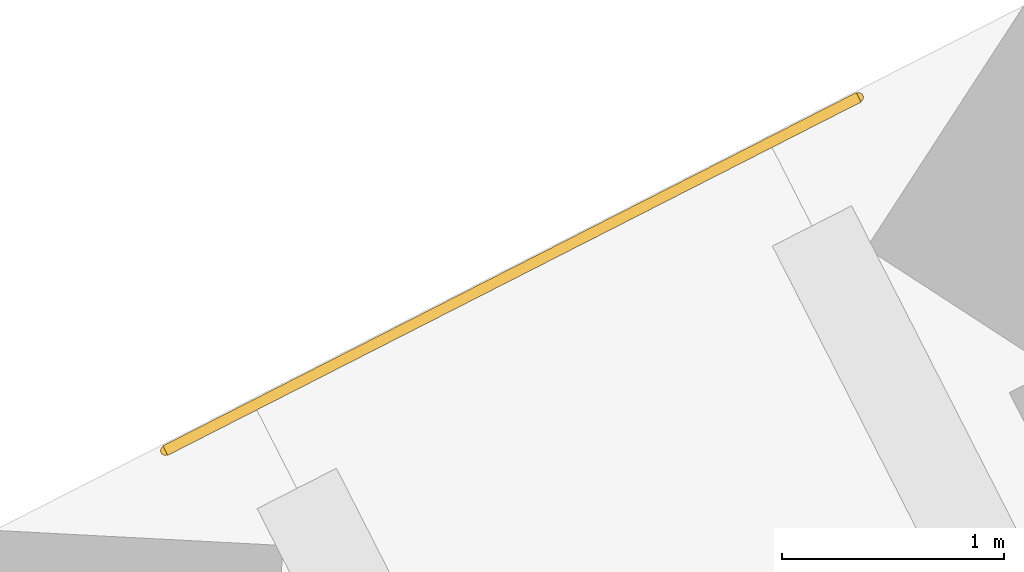
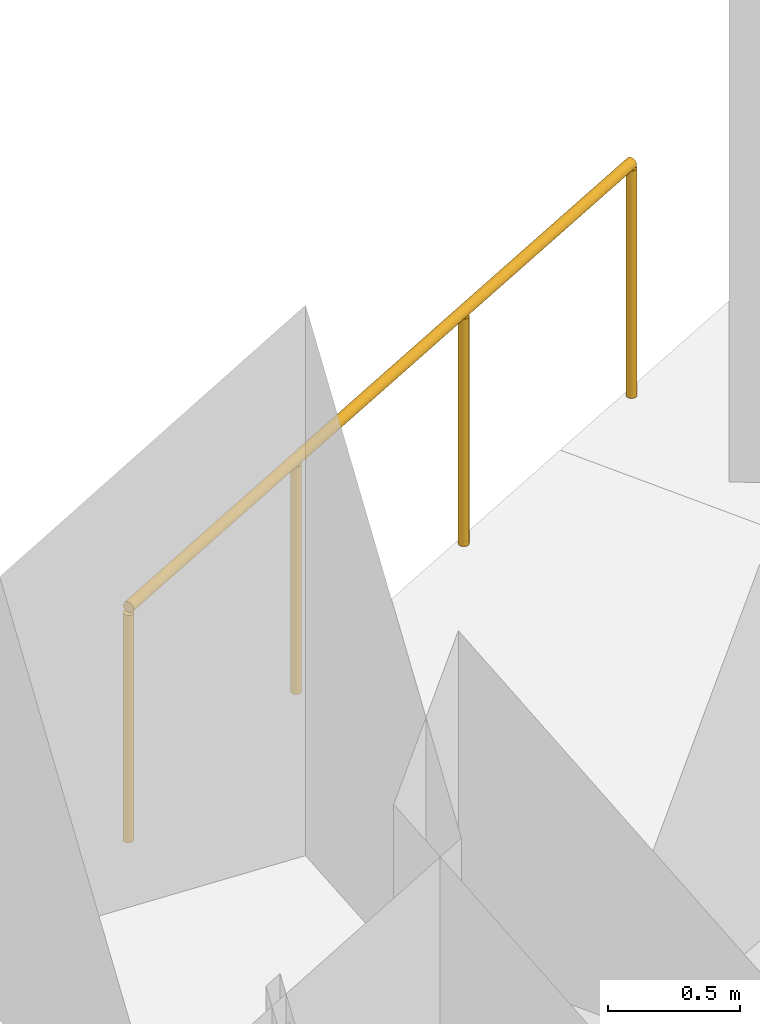
# One storey, part 17 of 18: 1 railing.
"""IFC4 building model written with IfcOpenShell, lengths in metres."""

import ifcopenshell
import ifcopenshell.guid

model = None  # the IFC model being written
_history = None  # IfcOwnerHistory: only IFC2X3 demands one
_inside = {}  # id of a spatial element -> (the spatial element, [elements in it])
_under = {}  # id of a project, library or spatial element -> (it, [spatial elements below it])
_declared = {}  # id of a project -> (the project, [libraries it declares])
_typed = {}  # id of a type object -> (the type object, [elements of that type])
_made_of = {}  # id of a material, layer set ... -> (it, [elements and type objects made of it])


def new_model(schema):
    """Start an empty IFC model of exactly this schema.

    Asked for "IFC4X3", IfcOpenShell would pick the latest addendum, in which some entities
    have other attributes; the version numbers below select the first issue.
    IFC2X3 requires an IfcOwnerHistory on every rooted entity: one is made here for all.
    """
    global model, _history
    if schema == "IFC4X3":
        model = ifcopenshell.file(schema_version=(4, 3, 0, 0))
    else:
        model = ifcopenshell.file(schema=schema)
    _inside.clear()
    _under.clear()
    _declared.clear()
    _typed.clear()
    _made_of.clear()
    _history = None
    if model.schema == "IFC2X3":
        org = make("IfcOrganization", Name="unknown")
        user = make(
            "IfcPersonAndOrganization",
            ThePerson=make("IfcPerson", FamilyName="unknown"),
            TheOrganization=org,
        )
        app = make(
            "IfcApplication",
            ApplicationDeveloper=org,
            Version="unknown",
            ApplicationFullName="unknown",
            ApplicationIdentifier="unknown",
        )
        _history = make(
            "IfcOwnerHistory",
            OwningUser=user,
            OwningApplication=app,
            ChangeAction="ADDED",
            CreationDate=0,
        )
    return model


def make(cls, **values):
    """One entity of the class cls with the attributes given. An attribute that is None is left unset."""
    return model.create_entity(
        cls, **{name: value for name, value in values.items() if value is not None}
    )


def rooted(cls, **values):
    """An entity with a GlobalId (a new one), such as an element, a storey or a relation."""
    return make(cls, GlobalId=ifcopenshell.guid.new(), OwnerHistory=_history, **values)


def si_unit(unit_type, name, prefix=None):
    """IfcSIUnit, for example si_unit("LENGTHUNIT", "METRE", prefix="MILLI")."""
    return make("IfcSIUnit", UnitType=unit_type, Prefix=prefix, Name=name)


def assignment(units):
    """IfcUnitAssignment: the units of a project."""
    return None if units is None else make("IfcUnitAssignment", Units=units)


def point(xyz):
    """IfcCartesianPoint."""
    return None if xyz is None else make("IfcCartesianPoint", Coordinates=xyz)


def direction(xyz):
    """IfcDirection."""
    return None if xyz is None else make("IfcDirection", DirectionRatios=xyz)


def frame(location, z_axis=None, x_axis=None):
    """IfcAxis2Placement3D, a coordinate frame: its origin and axes. An axis left out is left unset."""
    return make(
        "IfcAxis2Placement3D",
        Location=point(location),
        Axis=direction(z_axis),
        RefDirection=direction(x_axis),
    )


def frame_2d(location, x_axis=None):
    """IfcAxis2Placement2D, a coordinate frame in the plane: its origin and x axis."""
    return make(
        "IfcAxis2Placement2D", Location=point(location), RefDirection=direction(x_axis)
    )


def origin():
    """The frame at (0, 0, 0) with its axes left unset."""
    return frame((0.0, 0.0, 0.0))


def origin_2d():
    """The frame at (0, 0) in the plane with its x axis left unset."""
    return frame_2d((0.0, 0.0))


def place(relative_to, where):
    """IfcLocalPlacement: puts the frame where relative to a parent placement (None: the world)."""
    return make(
        "IfcLocalPlacement", PlacementRelTo=relative_to, RelativePlacement=where
    )


def context(
    kind, dimensions, precision=None, world=None, true_north=None, identifier=None
):
    """IfcGeometricRepresentationContext, for example the 3D "Model" context."""
    return make(
        "IfcGeometricRepresentationContext",
        ContextIdentifier=identifier,
        ContextType=kind,
        CoordinateSpaceDimension=dimensions,
        Precision=precision,
        WorldCoordinateSystem=world,
        TrueNorth=true_north,
    )


def subcontext(parent, identifier, kind, view, scale=None):
    """IfcGeometricRepresentationSubContext, for example "Body" below "Model"."""
    return make(
        "IfcGeometricRepresentationSubContext",
        ContextIdentifier=identifier,
        ContextType=kind,
        ParentContext=parent,
        TargetScale=scale,
        TargetView=view,
    )


def project(units=None, contexts=None):
    """IfcProject with its units and contexts."""
    return rooted(
        "IfcProject",
        Name="project",
        RepresentationContexts=contexts,
        UnitsInContext=assignment(units),
    )


def spatial(cls, under=None, at=None, **own):
    """A site, building, storey or space (cls), placed at a placement, below another one or the project."""
    s = rooted(cls, ObjectPlacement=at, **own)
    if under is not None:
        _under.setdefault(under.id(), (under, []))[1].append(s)
    return s


def profile(cls, at=None, kind="AREA", **sizes):
    """A parametric profile (cls). Its sizes go by their IFC names, for example OverallWidth=200.0."""
    return make(cls, ProfileType=kind, Position=at, **sizes)


def circle(**sizes):
    """IfcCircleProfileDef."""
    return profile("IfcCircleProfileDef", **sizes)


def extrude(swept, where, along, depth):
    """IfcExtrudedAreaSolid: the profile swept, set in the frame where, extruded along a direction by depth."""
    return make(
        "IfcExtrudedAreaSolid",
        SweptArea=swept,
        Position=where,
        ExtrudedDirection=direction(along),
        Depth=depth,
    )


def shape(context_of_items, identifier, shape_type, items):
    """IfcShapeRepresentation: the items that make up one representation, for example the "Body"."""
    return make(
        "IfcShapeRepresentation",
        ContextOfItems=context_of_items,
        RepresentationIdentifier=identifier,
        RepresentationType=shape_type,
        Items=items,
    )


def material(Name=None, Category=None):
    """IfcMaterial."""
    return make("IfcMaterial", Name=Name, Category=Category)


def made_of(thing, what):
    """Note that an element or type object is made of a material, layer set ...; save() writes the relation."""
    if what is not None:
        _made_of.setdefault(what.id(), (what, []))[1].append(thing)
    return thing


def type_object(cls, material=None, **own):
    """A type object (cls), such as IfcWallType, which elements share."""
    return made_of(rooted(cls, **own), material)


def element(
    cls,
    number,
    at=None,
    inside=None,
    cuts=None,
    type_object=None,
    material=None,
    context=None,
    identifier="Body",
    shape_type=None,
    held_by="IfcProductDefinitionShape",
    body=None,
    shapes=None,
    **own,
):
    """One element of the class cls, such as IfcWall. Its Tag is "e" and its number.

    at: its placement. inside: the storey or other place that contains it. cuts: it is an
    opening in that element (IfcRelVoidsElement). A single representation is given by context,
    identifier, shape_type and body (its items); several are given by shapes. held_by: the class
    of the entity that holds the representations. save() writes the other relations.
    """
    e = rooted(cls, Tag="e%d" % number, ObjectPlacement=at, **own)
    if body is not None:
        shapes = [shape(context, identifier, shape_type, body)]
    if shapes is not None:
        e.Representation = make(held_by, Representations=shapes)
    if inside is not None:
        _inside.setdefault(inside.id(), (inside, []))[1].append(e)
    if cuts is not None:
        rooted(
            "IfcRelVoidsElement", RelatingBuildingElement=cuts, RelatedOpeningElement=e
        )
    if type_object is not None:
        _typed.setdefault(type_object.id(), (type_object, []))[1].append(e)
    return made_of(e, material)


def aggregate(whole, parts):
    """IfcRelAggregates: a whole, such as a stair, and the parts it consists of."""
    return rooted("IfcRelAggregates", RelatingObject=whole, RelatedObjects=parts)


def save(model, path):
    """Write the relations noted so far, then the file.

    IfcRelAggregates (storeys below a building ...), IfcRelContainedInSpatialStructure (elements
    in a storey), IfcRelDefinesByType, IfcRelAssociatesMaterial and IfcRelDeclares: one each for
    every whole, place, type object, material and project.
    """
    for whole, parts in _under.values():
        aggregate(whole, parts)
    for where, things in _inside.values():
        rooted(
            "IfcRelContainedInSpatialStructure",
            RelatedElements=things,
            RelatingStructure=where,
        )
    for kind, things in _typed.values():
        rooted("IfcRelDefinesByType", RelatedObjects=things, RelatingType=kind)
    for what, things in _made_of.values():
        rooted("IfcRelAssociatesMaterial", RelatedObjects=things, RelatingMaterial=what)
    for by, libraries in _declared.values():
        rooted("IfcRelDeclares", RelatingContext=by, RelatedDefinitions=libraries)
    model.write(path)


model = new_model("IFC4")

# Units and contexts
model_context = context("Model", 3, precision=1e-05, world=origin(), true_north=direction((0.0, 1.0)))
body_context = subcontext(model_context, "Body", "Model", "MODEL_VIEW")
ifc_project = project(units=[si_unit("LENGTHUNIT", "METRE"), si_unit("AREAUNIT", "SQUARE_METRE"), si_unit("VOLUMEUNIT", "CUBIC_METRE"), si_unit("PLANEANGLEUNIT", "RADIAN"), si_unit("MASSUNIT", "GRAM", prefix="KILO")], contexts=[model_context])

# Site, building, storey
site_placement = place(None, origin())
site = spatial("IfcSite", under=ifc_project, at=site_placement, CompositionType="ELEMENT")
building_placement = place(site_placement, origin())
building = spatial("IfcBuilding", under=site, at=building_placement, Name="Tramontana Tower", CompositionType="ELEMENT")
storey_placement = place(building_placement, frame((0.0, 0.0, 125.60009765625)))
storey = spatial("IfcBuildingStorey", under=building, at=storey_placement, Name="L28", CompositionType="ELEMENT", Elevation=125.60009765625)

# Railing
ifc_material = material(Name="Laminated glass balustrade", Category="glass")
railing_type = type_object("IfcRailingType", Name="GD1 Loggia glass balustrade 1100", PredefinedType="BALUSTRADE", material=ifc_material)
railing_placement = place(storey_placement, frame((-15.392333984375, 26.3544921875, 0.0)))
element("IfcRailing", 1, at=railing_placement, inside=storey, type_object=railing_type, Name="Corner loggia balustrade L28 K30", PredefinedType="BALUSTRADE", context=body_context, shape_type="SweptSolid", body=[
    extrude(circle(Radius=0.02392578125, at=origin_2d()), frame((0.0, 0.0, 1.076171875), z_axis=(0.891011280655, 0.453981164527, 0.0), x_axis=(-0.453981164527, 0.891011280655, 0.0)), (0.0, 0.0, 1.0), 3.499755859375),
    extrude(circle(Radius=0.02099609375, at=origin_2d()), origin(), (0.0, 0.0, 1.0), 1.052001953125),
    extrude(circle(Radius=0.02099609375, at=origin_2d()), frame((1.03955078125, 0.529541015625, 0.0)), (0.0, 0.0, 1.0), 1.052001953125),
    extrude(circle(Radius=0.02099609375, at=origin_2d()), frame((2.078857421875, 1.059326171875, 0.0)), (0.0, 0.0, 1.0), 1.052001953125),
    extrude(circle(Radius=0.02099609375, at=origin_2d()), frame((3.118408203125, 1.5888671875, 0.0)), (0.0, 0.0, 1.0), 1.052001953125),
])

save(model, "model.ifc")
